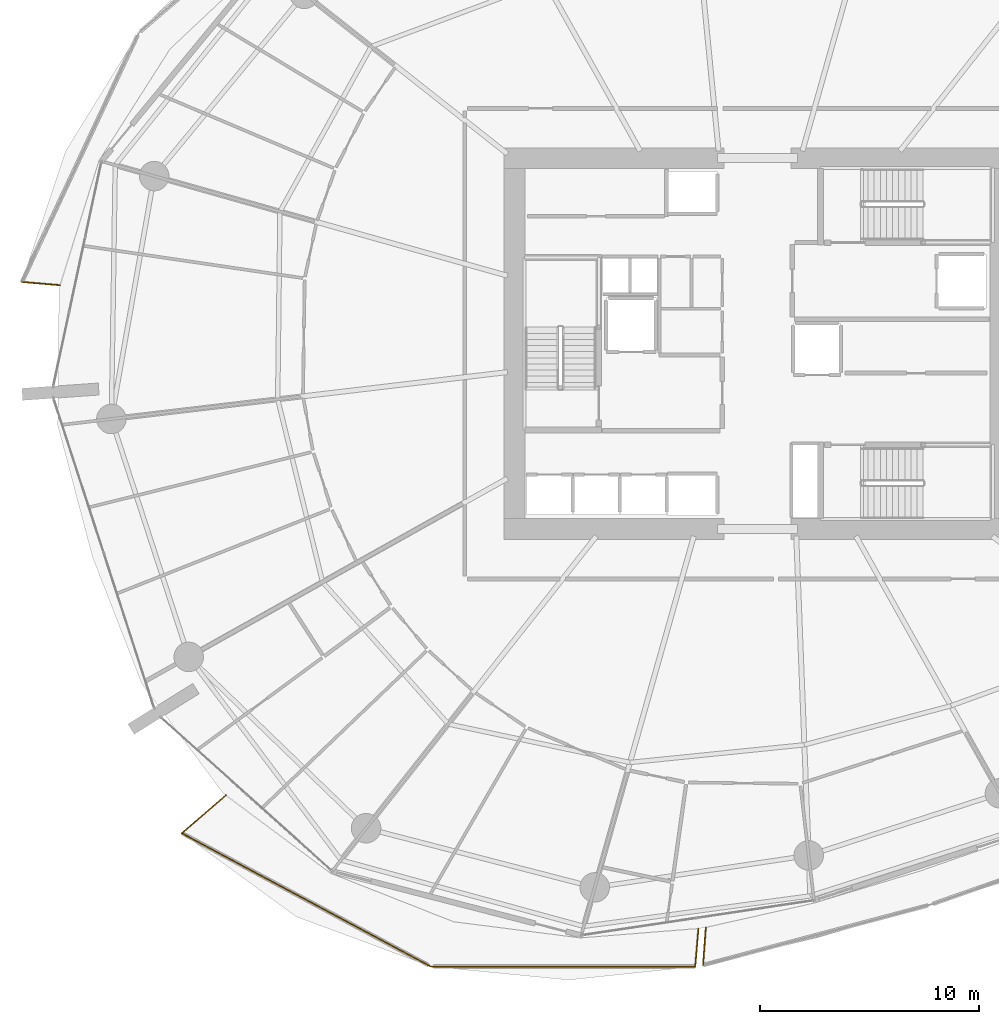
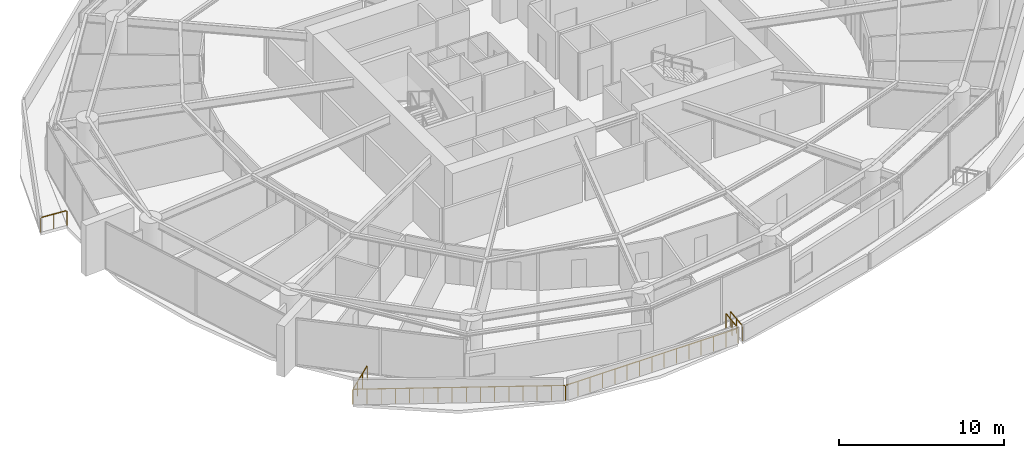
# One storey, part 25 of 31: 6 railings.
"""IFC4 building model written with IfcOpenShell, lengths in metres."""

from ifc_helpers import new_model, si_unit, direction, frame, origin, origin_2d, place, context, subcontext, project, spatial, rectangle, extrude, material, type_object, element, save


model = new_model("IFC4")

# Units and contexts
model_context = context("Model", 3, precision=1e-05, world=origin(), true_north=direction((0.0, 1.0)))
body_context = subcontext(model_context, "Body", "Model", "MODEL_VIEW")
ifc_project = project(units=[si_unit("LENGTHUNIT", "METRE"), si_unit("AREAUNIT", "SQUARE_METRE"), si_unit("VOLUMEUNIT", "CUBIC_METRE"), si_unit("PLANEANGLEUNIT", "RADIAN"), si_unit("MASSUNIT", "GRAM", prefix="KILO")], contexts=[model_context])

# Site, building, storey
site_placement = place(None, origin())
site = spatial("IfcSite", under=ifc_project, at=site_placement, CompositionType="ELEMENT")
building_placement = place(site_placement, origin())
building = spatial("IfcBuilding", under=site, at=building_placement, Name="Kazma Halo Residences", CompositionType="ELEMENT")
storey_placement = place(building_placement, frame((0.0, 0.0, 30.14990234375)))
storey = spatial("IfcBuildingStorey", under=building, at=storey_placement, Name="L06", CompositionType="ELEMENT", Elevation=30.14990234375)

# Railings
ifc_material = material(Name="Aluminium AW-6063 T6 Brushed Cap Rail", Category="aluminium")
railing_type = type_object("IfcRailingType", Name="RLG-BAL-CAP-1120", PredefinedType="BALUSTRADE", material=ifc_material)
railing_1_placement = place(storey_placement, frame((14.80810546875, 44.81640625, 0.0)))
element("IfcRailing", 1, at=railing_1_placement, inside=storey, type_object=railing_type, Name="L06 NW wave balcony guard 4", PredefinedType="BALUSTRADE", context=body_context, shape_type="SweptSolid", body=[
    extrude(rectangle(XDim=0.050048828125, YDim=0.050048828125, at=origin_2d()), frame((0.04248046875, -0.003662109375, 1.09521484375), z_axis=(0.996421327886, -0.084525365027, 0.0), x_axis=(0.084525365027, 0.996421327886, 0.0)), (0.0, 0.0, 1.0), 1.662353515625),
    extrude(rectangle(XDim=0.0400390625, YDim=0.0400390625, at=origin_2d()), origin(), (0.0, 0.0, 1.0), 1.05810546875),
    extrude(rectangle(XDim=0.0400390625, YDim=0.0400390625, at=origin_2d()), frame((0.87060546875, -0.07373046875, 0.0)), (0.0, 0.0, 1.0), 1.05810546875),
    extrude(rectangle(XDim=0.0400390625, YDim=0.0400390625, at=origin_2d()), frame((1.7412109375, -0.147705078125, 0.0)), (0.0, 0.0, 1.0), 1.05810546875),
])
railing_2_placement = place(storey_placement, frame((24.124267578125, 21.354736328125, 0.0)))
element("IfcRailing", 2, at=railing_2_placement, inside=storey, type_object=railing_type, Name="L06 SW wave balcony guard 1", PredefinedType="BALUSTRADE", context=body_context, shape_type="SweptSolid", body=[
    extrude(rectangle(XDim=0.050048828125, YDim=0.050048828125, at=origin_2d()), frame((-0.0322265625, -0.02783203125, 1.09521484375), z_axis=(-0.756365644191, -0.654149074973, 0.0), x_axis=(0.654149074973, -0.756365644191, 0.0)), (0.0, 0.0, 1.0), 2.556640625),
    extrude(rectangle(XDim=0.0400390625, YDim=0.0400390625, at=origin_2d()), origin(), (0.0, 0.0, 1.0), 1.05810546875),
    extrude(rectangle(XDim=0.0400390625, YDim=0.0400390625, at=origin_2d()), frame((-0.666015625, -0.575927734375, 0.0)), (0.0, 0.0, 1.0), 1.05810546875),
    extrude(rectangle(XDim=0.0400390625, YDim=0.0400390625, at=origin_2d()), frame((-1.33203125, -1.152099609375, 0.0)), (0.0, 0.0, 1.0), 1.05810546875),
    extrude(rectangle(XDim=0.0400390625, YDim=0.0400390625, at=origin_2d()), frame((-1.998046875, -1.72802734375, 0.0)), (0.0, 0.0, 1.0), 1.05810546875),
])
railing_3_placement = place(storey_placement, frame((22.126220703125, 19.626708984375, 0.0)))
element("IfcRailing", 3, at=railing_3_placement, inside=storey, type_object=railing_type, Name="L06 SW wave balcony guard 2", PredefinedType="BALUSTRADE", context=body_context, shape_type="SweptSolid", body=[
    extrude(rectangle(XDim=0.050048828125, YDim=0.050048828125, at=origin_2d()), frame((0.03759765625, -0.02001953125, 1.09521484375), z_axis=(0.881390761271, -0.472387897755, 0.0), x_axis=(0.472387897755, 0.881390761271, 0.0)), (0.0, 0.0, 1.0), 12.814208984375),
    extrude(rectangle(XDim=0.0400390625, YDim=0.0400390625, at=origin_2d()), origin(), (0.0, 0.0, 1.0), 1.05810546875),
    extrude(rectangle(XDim=0.0400390625, YDim=0.0400390625, at=origin_2d()), frame((0.758056640625, -0.40625, 0.0)), (0.0, 0.0, 1.0), 1.05810546875),
    extrude(rectangle(XDim=0.0400390625, YDim=0.0400390625, at=origin_2d()), frame((1.515869140625, -0.8125, 0.0)), (0.0, 0.0, 1.0), 1.05810546875),
    extrude(rectangle(XDim=0.0400390625, YDim=0.0400390625, at=origin_2d()), frame((2.27392578125, -1.21875, 0.0)), (0.0, 0.0, 1.0), 1.05810546875),
    extrude(rectangle(XDim=0.0400390625, YDim=0.0400390625, at=origin_2d()), frame((3.03173828125, -1.625, 0.0)), (0.0, 0.0, 1.0), 1.05810546875),
    extrude(rectangle(XDim=0.0400390625, YDim=0.0400390625, at=origin_2d()), frame((3.789794921875, -2.03125, 0.0)), (0.0, 0.0, 1.0), 1.05810546875),
    extrude(rectangle(XDim=0.0400390625, YDim=0.0400390625, at=origin_2d()), frame((4.5478515625, -2.4375, 0.0)), (0.0, 0.0, 1.0), 1.05810546875),
    extrude(rectangle(XDim=0.0400390625, YDim=0.0400390625, at=origin_2d()), frame((5.3056640625, -2.84375, 0.0)), (0.0, 0.0, 1.0), 1.05810546875),
    extrude(rectangle(XDim=0.0400390625, YDim=0.0400390625, at=origin_2d()), frame((6.063720703125, -3.249755859375, 0.0)), (0.0, 0.0, 1.0), 1.05810546875),
    extrude(rectangle(XDim=0.0400390625, YDim=0.0400390625, at=origin_2d()), frame((6.821533203125, -3.656005859375, 0.0)), (0.0, 0.0, 1.0), 1.05810546875),
    extrude(rectangle(XDim=0.0400390625, YDim=0.0400390625, at=origin_2d()), frame((7.57958984375, -4.062255859375, 0.0)), (0.0, 0.0, 1.0), 1.05810546875),
    extrude(rectangle(XDim=0.0400390625, YDim=0.0400390625, at=origin_2d()), frame((8.337646484375, -4.468505859375, 0.0)), (0.0, 0.0, 1.0), 1.05810546875),
    extrude(rectangle(XDim=0.0400390625, YDim=0.0400390625, at=origin_2d()), frame((9.095458984375, -4.874755859375, 0.0)), (0.0, 0.0, 1.0), 1.05810546875),
    extrude(rectangle(XDim=0.0400390625, YDim=0.0400390625, at=origin_2d()), frame((9.853515625, -5.281005859375, 0.0)), (0.0, 0.0, 1.0), 1.05810546875),
    extrude(rectangle(XDim=0.0400390625, YDim=0.0400390625, at=origin_2d()), frame((10.611328125, -5.687255859375, 0.0)), (0.0, 0.0, 1.0), 1.05810546875),
    extrude(rectangle(XDim=0.0400390625, YDim=0.0400390625, at=origin_2d()), frame((11.369384765625, -6.093505859375, 0.0)), (0.0, 0.0, 1.0), 1.05810546875),
])
railing_4_placement = place(storey_placement, frame((33.49560546875, 13.533203125, 0.0)))
element("IfcRailing", 4, at=railing_4_placement, inside=storey, type_object=railing_type, Name="L06 SW wave balcony guard 3", PredefinedType="BALUSTRADE", context=body_context, shape_type="SweptSolid", body=[
    extrude(rectangle(XDim=0.050048828125, YDim=0.050048828125, at=origin_2d()), frame((0.04248046875, 0.0, 1.09521484375), z_axis=(0.999999862133, -0.000525103939, 0.0), x_axis=(0.000525103939, 0.999999862133, 0.0)), (0.0, 0.0, 1.0), 12.00341796875),
    extrude(rectangle(XDim=0.0400390625, YDim=0.0400390625, at=origin_2d()), origin(), (0.0, 0.0, 1.0), 1.05810546875),
    extrude(rectangle(XDim=0.0400390625, YDim=0.0400390625, at=origin_2d()), frame((0.863525390625, -0.00048828125, 0.0)), (0.0, 0.0, 1.0), 1.05810546875),
    extrude(rectangle(XDim=0.0400390625, YDim=0.0400390625, at=origin_2d()), frame((1.726806640625, -0.0009765625, 0.0)), (0.0, 0.0, 1.0), 1.05810546875),
    extrude(rectangle(XDim=0.0400390625, YDim=0.0400390625, at=origin_2d()), frame((2.59033203125, -0.00146484375, 0.0)), (0.0, 0.0, 1.0), 1.05810546875),
    extrude(rectangle(XDim=0.0400390625, YDim=0.0400390625, at=origin_2d()), frame((3.453857421875, -0.001708984375, 0.0)), (0.0, 0.0, 1.0), 1.05810546875),
    extrude(rectangle(XDim=0.0400390625, YDim=0.0400390625, at=origin_2d()), frame((4.3173828125, -0.002197265625, 0.0)), (0.0, 0.0, 1.0), 1.05810546875),
    extrude(rectangle(XDim=0.0400390625, YDim=0.0400390625, at=origin_2d()), frame((5.1806640625, -0.002685546875, 0.0)), (0.0, 0.0, 1.0), 1.05810546875),
    extrude(rectangle(XDim=0.0400390625, YDim=0.0400390625, at=origin_2d()), frame((6.044189453125, -0.003173828125, 0.0)), (0.0, 0.0, 1.0), 1.05810546875),
    extrude(rectangle(XDim=0.0400390625, YDim=0.0400390625, at=origin_2d()), frame((6.90771484375, -0.003662109375, 0.0)), (0.0, 0.0, 1.0), 1.05810546875),
    extrude(rectangle(XDim=0.0400390625, YDim=0.0400390625, at=origin_2d()), frame((7.77099609375, -0.004150390625, 0.0)), (0.0, 0.0, 1.0), 1.05810546875),
    extrude(rectangle(XDim=0.0400390625, YDim=0.0400390625, at=origin_2d()), frame((8.634521484375, -0.004638671875, 0.0)), (0.0, 0.0, 1.0), 1.05810546875),
    extrude(rectangle(XDim=0.0400390625, YDim=0.0400390625, at=origin_2d()), frame((9.498046875, -0.0048828125, 0.0)), (0.0, 0.0, 1.0), 1.05810546875),
    extrude(rectangle(XDim=0.0400390625, YDim=0.0400390625, at=origin_2d()), frame((10.361572265625, -0.00537109375, 0.0)), (0.0, 0.0, 1.0), 1.05810546875),
    extrude(rectangle(XDim=0.0400390625, YDim=0.0400390625, at=origin_2d()), frame((11.224853515625, -0.005859375, 0.0)), (0.0, 0.0, 1.0), 1.05810546875),
    extrude(rectangle(XDim=0.0400390625, YDim=0.0400390625, at=origin_2d()), frame((12.08837890625, -0.00634765625, 0.0)), (0.0, 0.0, 1.0), 1.05810546875),
])
railing_5_placement = place(storey_placement, frame((45.583984375, 13.52685546875, 0.0)))
element("IfcRailing", 5, at=railing_5_placement, inside=storey, type_object=railing_type, Name="L06 SW wave balcony guard 4", PredefinedType="BALUSTRADE", context=body_context, shape_type="SweptSolid", body=[
    extrude(rectangle(XDim=0.050048828125, YDim=0.050048828125, at=origin_2d()), frame((0.003662109375, 0.04248046875, 1.09521484375), z_axis=(0.084558134687, 0.996418547528, 0.0), x_axis=(-0.996418547528, 0.084558134687, 0.0)), (0.0, 0.0, 1.0), 1.66455078125),
    extrude(rectangle(XDim=0.0400390625, YDim=0.0400390625, at=origin_2d()), origin(), (0.0, 0.0, 1.0), 1.05810546875),
    extrude(rectangle(XDim=0.0400390625, YDim=0.0400390625, at=origin_2d()), frame((0.073974609375, 0.87158203125, 0.0)), (0.0, 0.0, 1.0), 1.05810546875),
    extrude(rectangle(XDim=0.0400390625, YDim=0.0400390625, at=origin_2d()), frame((0.14794921875, 1.743408203125, 0.0)), (0.0, 0.0, 1.0), 1.05810546875),
])
railing_6_placement = place(storey_placement, frame((46.064208984375, 15.320068359375, 0.0)))
element("IfcRailing", 6, at=railing_6_placement, inside=storey, type_object=railing_type, Name="L06 SSE wave balcony guard 1", PredefinedType="BALUSTRADE", context=body_context, shape_type="SweptSolid", body=[
    extrude(rectangle(XDim=0.050048828125, YDim=0.050048828125, at=origin_2d()), frame((-0.003173828125, -0.04248046875, 1.09521484375), z_axis=(-0.072349491269, -0.997379341631, 0.0), x_axis=(0.997379341631, -0.072349491269, 0.0)), (0.0, 0.0, 1.0), 1.64599609375),
    extrude(rectangle(XDim=0.0400390625, YDim=0.0400390625, at=origin_2d()), origin(), (0.0, 0.0, 1.0), 1.05810546875),
    extrude(rectangle(XDim=0.0400390625, YDim=0.0400390625, at=origin_2d()), frame((-0.0625, -0.86328125, 0.0)), (0.0, 0.0, 1.0), 1.05810546875),
    extrude(rectangle(XDim=0.0400390625, YDim=0.0400390625, at=origin_2d()), frame((-0.125244140625, -1.7265625, 0.0)), (0.0, 0.0, 1.0), 1.05810546875),
])

save(model, "model.ifc")
